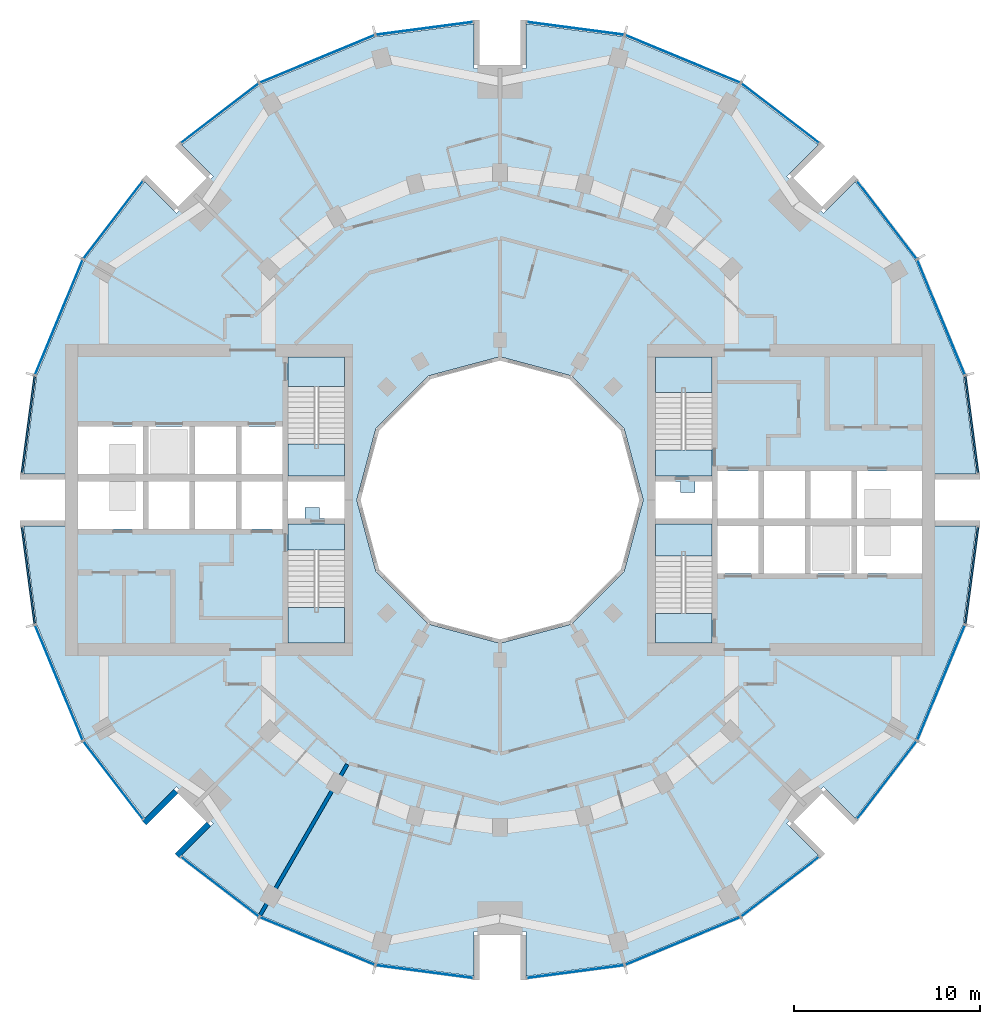
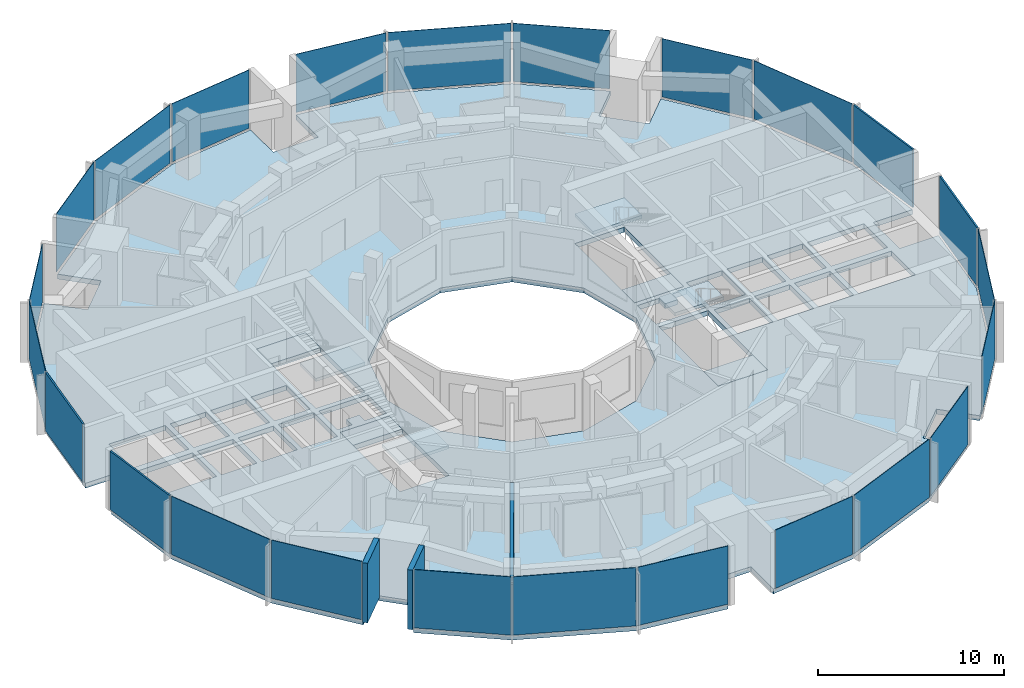
# One storey, part 7 of 15: 24 plates, 9 slabs, 3 walls, 28 elements without a shape of their own.
"""IFC4 building model written with IfcOpenShell, lengths in metres."""

from ifc_helpers import new_model, si_unit, direction, frame, frame_2d, origin, origin_2d, place, context, subcontext, project, spatial, polyline, rectangle, outline, extrude, material, layer, layer_set, type_object, element, aggregate, save


model = new_model("IFC4")

# Units and contexts
model_context = context("Model", 3, precision=1e-05, world=origin(), true_north=direction((0.0, 1.0)))
body_context = subcontext(model_context, "Body", "Model", "MODEL_VIEW")
ifc_project = project(units=[si_unit("LENGTHUNIT", "METRE"), si_unit("AREAUNIT", "SQUARE_METRE"), si_unit("VOLUMEUNIT", "CUBIC_METRE"), si_unit("PLANEANGLEUNIT", "RADIAN"), si_unit("MASSUNIT", "GRAM", prefix="KILO")], contexts=[model_context])

# Site, building, storey
site_placement = place(None, origin())
site = spatial("IfcSite", under=ifc_project, at=site_placement, CompositionType="ELEMENT")
building_placement = place(site_placement, origin())
building = spatial("IfcBuilding", under=site, at=building_placement, Name="Torre Brocal", CompositionType="ELEMENT")
storey_placement = place(building_placement, frame((0.0, 0.0, 118.5)))
storey = spatial("IfcBuildingStorey", under=building, at=storey_placement, Name="L27", CompositionType="ELEMENT", Elevation=118.5)

# Curtain wall, plate
ifc_material_1 = material(Name="Aluminium and glass", Category="aluminium")
ifc_layer_1 = layer(ifc_material_1, 0.199951171875)
ifc_layer_set_1 = layer_set([ifc_layer_1], Name="Aluminium and glass")
curtain_wall_type_1 = type_object("IfcCurtainWallType", Name="CW-1 CURTAIN WALL 3900 HIGH", PredefinedType="NOTDEFINED", material=ifc_layer_set_1)
curtain_wall_1_placement = place(storey_placement, origin())
curtain_wall_1 = element("IfcCurtainWall", 1, at=curtain_wall_1_placement, inside=storey, type_object=curtain_wall_type_1, Name="CW-1 RUN 2", PredefinedType="NOTDEFINED")
ifc_material_2 = material(Name="Glass, dark tinted laminated", Category="glass")
ifc_layer_2 = layer(ifc_material_2, 0.031982421875)
ifc_layer_set_2 = layer_set([ifc_layer_2], Name="Glass, dark tinted laminated")
plate_type_1 = type_object("IfcPlateType", Name="CW-1 GLASS PANEL 32", PredefinedType="CURTAIN_PANEL", material=ifc_layer_set_2)
plate_1_placement = place(storey_placement, frame((103.722900390625, 84.826416015625, 0.080078125), z_axis=(0.0, 0.0, 1.0), x_axis=(-0.382683432333, 0.923879532525, 0.0)))
plate_1 = element("IfcPlate", 2, at=plate_1_placement, type_object=plate_type_1, Name="CW1-3 panel 1.1", PredefinedType="CURTAIN_PANEL", context=body_context, shape_type="SweptSolid", body=[
    extrude(rectangle(XDim=6.64111328125, YDim=0.031982421875, at=origin_2d()), origin(), (0.0, 0.0, 1.0), 3.820068359375),
])
aggregate(curtain_wall_1, [plate_1])

curtain_wall_2_placement = place(storey_placement, origin())
curtain_wall_2 = element("IfcCurtainWall", 3, at=curtain_wall_2_placement, inside=storey, type_object=curtain_wall_type_1, Name="CW-1 RUN 3", PredefinedType="NOTDEFINED")
plate_2_placement = place(storey_placement, frame((100.80126953125, 90.0712890625, 0.080078125), z_axis=(0.0, 0.0, 1.0), x_axis=(-0.60876142905, 0.793353340259, 0.0)))
plate_2 = element("IfcPlate", 4, at=plate_2_placement, type_object=plate_type_1, Name="CW1-3 panel 1.1", PredefinedType="CURTAIN_PANEL", context=body_context, shape_type="SweptSolid", body=[
    extrude(rectangle(XDim=5.22900390625, YDim=0.031982421875, at=origin_2d()), origin(), (0.0, 0.0, 1.0), 3.820068359375),
])
aggregate(curtain_wall_2, [plate_2])

curtain_wall_3_placement = place(storey_placement, origin())
curtain_wall_3 = element("IfcCurtainWall", 5, at=curtain_wall_3_placement, inside=storey, type_object=curtain_wall_type_1, Name="CW-1 RUN 4", PredefinedType="NOTDEFINED")
plate_3_placement = place(storey_placement, frame((95.0712890625, 95.80126953125, 0.080078125), z_axis=(0.0, 0.0, 1.0), x_axis=(-0.793353340259, 0.60876142905, 0.0)))
plate_3 = element("IfcPlate", 6, at=plate_3_placement, type_object=plate_type_1, Name="CW1-3 panel 1.1", PredefinedType="CURTAIN_PANEL", context=body_context, shape_type="SweptSolid", body=[
    extrude(rectangle(XDim=5.22900390625, YDim=0.031982421875, at=origin_2d()), origin(), (0.0, 0.0, 1.0), 3.820068359375),
])
aggregate(curtain_wall_3, [plate_3])

curtain_wall_4_placement = place(storey_placement, origin())
curtain_wall_4 = element("IfcCurtainWall", 7, at=curtain_wall_4_placement, inside=storey, type_object=curtain_wall_type_1, Name="CW-1 RUN 5", PredefinedType="NOTDEFINED")
plate_4_placement = place(storey_placement, frame((89.826416015625, 98.722900390625, 0.080078125), z_axis=(0.0, 0.0, 1.0), x_axis=(-0.923879532525, 0.382683432333, 0.0)))
plate_4 = element("IfcPlate", 8, at=plate_4_placement, type_object=plate_type_1, Name="CW1-3 panel 1.1", PredefinedType="CURTAIN_PANEL", context=body_context, shape_type="SweptSolid", body=[
    extrude(rectangle(XDim=6.64111328125, YDim=0.031982421875, at=origin_2d()), origin(), (0.0, 0.0, 1.0), 3.820068359375),
])
aggregate(curtain_wall_4, [plate_4])

curtain_wall_5_placement = place(storey_placement, origin())
curtain_wall_5 = element("IfcCurtainWall", 9, at=curtain_wall_5_placement, inside=storey, type_object=curtain_wall_type_1, Name="CW-1 RUN 6", PredefinedType="NOTDEFINED")
plate_5_placement = place(storey_placement, frame((84.051513671875, 100.36572265625, 0.080078125), z_axis=(0.0, 0.0, 1.0), x_axis=(-0.991444861374, 0.13052619222, 0.0)))
plate_5 = element("IfcPlate", 10, at=plate_5_placement, type_object=plate_type_1, Name="CW1-3 panel 1.1", PredefinedType="CURTAIN_PANEL", context=body_context, shape_type="SweptSolid", body=[
    extrude(rectangle(XDim=5.22900390625, YDim=0.031982421875, at=origin_2d()), origin(), (0.0, 0.0, 1.0), 3.820068359375),
])
aggregate(curtain_wall_5, [plate_5])

curtain_wall_6_placement = place(storey_placement, origin())
curtain_wall_6 = element("IfcCurtainWall", 11, at=curtain_wall_6_placement, inside=storey, type_object=curtain_wall_type_1, Name="CW-1 RUN 7", PredefinedType="NOTDEFINED")
plate_6_placement = place(storey_placement, frame((75.948486328125, 100.36572265625, 0.080078125), z_axis=(0.0, 0.0, 1.0), x_axis=(-0.991444861374, -0.13052619222, 0.0)))
plate_6 = element("IfcPlate", 12, at=plate_6_placement, type_object=plate_type_1, Name="CW1-3 panel 1.1", PredefinedType="CURTAIN_PANEL", context=body_context, shape_type="SweptSolid", body=[
    extrude(rectangle(XDim=5.22900390625, YDim=0.031982421875, at=origin_2d()), origin(), (0.0, 0.0, 1.0), 3.820068359375),
])
aggregate(curtain_wall_6, [plate_6])

curtain_wall_7_placement = place(storey_placement, origin())
curtain_wall_7 = element("IfcCurtainWall", 13, at=curtain_wall_7_placement, inside=storey, type_object=curtain_wall_type_1, Name="CW-1 RUN 8", PredefinedType="NOTDEFINED")
plate_7_placement = place(storey_placement, frame((70.173583984375, 98.722900390625, 0.080078125), z_axis=(0.0, 0.0, 1.0), x_axis=(-0.923879532525, -0.382683432333, 0.0)))
plate_7 = element("IfcPlate", 14, at=plate_7_placement, type_object=plate_type_1, Name="CW1-3 panel 1.1", PredefinedType="CURTAIN_PANEL", context=body_context, shape_type="SweptSolid", body=[
    extrude(rectangle(XDim=6.64111328125, YDim=0.031982421875, at=origin_2d()), origin(), (0.0, 0.0, 1.0), 3.820068359375),
])
aggregate(curtain_wall_7, [plate_7])

curtain_wall_8_placement = place(storey_placement, origin())
curtain_wall_8 = element("IfcCurtainWall", 15, at=curtain_wall_8_placement, inside=storey, type_object=curtain_wall_type_1, Name="CW-1 RUN 9", PredefinedType="NOTDEFINED")
plate_8_placement = place(storey_placement, frame((64.9287109375, 95.80126953125, 0.080078125), z_axis=(0.0, 0.0, 1.0), x_axis=(-0.793353340259, -0.60876142905, 0.0)))
plate_8 = element("IfcPlate", 16, at=plate_8_placement, type_object=plate_type_1, Name="CW1-3 panel 1.1", PredefinedType="CURTAIN_PANEL", context=body_context, shape_type="SweptSolid", body=[
    extrude(rectangle(XDim=5.22900390625, YDim=0.031982421875, at=origin_2d()), origin(), (0.0, 0.0, 1.0), 3.820068359375),
])
aggregate(curtain_wall_8, [plate_8])

curtain_wall_9_placement = place(storey_placement, origin())
curtain_wall_9 = element("IfcCurtainWall", 17, at=curtain_wall_9_placement, inside=storey, type_object=curtain_wall_type_1, Name="CW-1 RUN 10", PredefinedType="NOTDEFINED")
plate_9_placement = place(storey_placement, frame((59.19873046875, 90.0712890625, 0.080078125), z_axis=(0.0, 0.0, 1.0), x_axis=(-0.60876142905, -0.793353340259, 0.0)))
plate_9 = element("IfcPlate", 18, at=plate_9_placement, type_object=plate_type_1, Name="CW1-3 panel 1.1", PredefinedType="CURTAIN_PANEL", context=body_context, shape_type="SweptSolid", body=[
    extrude(rectangle(XDim=5.22900390625, YDim=0.031982421875, at=origin_2d()), origin(), (0.0, 0.0, 1.0), 3.820068359375),
])
aggregate(curtain_wall_9, [plate_9])

curtain_wall_10_placement = place(storey_placement, origin())
curtain_wall_10 = element("IfcCurtainWall", 19, at=curtain_wall_10_placement, inside=storey, type_object=curtain_wall_type_1, Name="CW-1 RUN 11", PredefinedType="NOTDEFINED")
plate_10_placement = place(storey_placement, frame((56.277099609375, 84.826416015625, 0.080078125), z_axis=(0.0, 0.0, 1.0), x_axis=(-0.382683432333, -0.923879532525, 0.0)))
plate_10 = element("IfcPlate", 20, at=plate_10_placement, type_object=plate_type_1, Name="CW1-3 panel 1.1", PredefinedType="CURTAIN_PANEL", context=body_context, shape_type="SweptSolid", body=[
    extrude(rectangle(XDim=6.64111328125, YDim=0.031982421875, at=origin_2d()), origin(), (0.0, 0.0, 1.0), 3.820068359375),
])
aggregate(curtain_wall_10, [plate_10])

curtain_wall_11_placement = place(storey_placement, origin())
curtain_wall_11 = element("IfcCurtainWall", 21, at=curtain_wall_11_placement, inside=storey, type_object=curtain_wall_type_1, Name="CW-1 RUN 14", PredefinedType="NOTDEFINED")
plate_11_placement = place(storey_placement, frame((56.277099609375, 65.173583984375, 0.080078125), z_axis=(0.0, 0.0, 1.0), x_axis=(0.382683432333, -0.923879532525, 0.0)))
plate_11 = element("IfcPlate", 22, at=plate_11_placement, type_object=plate_type_1, Name="CW1-3 panel 1.1", PredefinedType="CURTAIN_PANEL", context=body_context, shape_type="SweptSolid", body=[
    extrude(rectangle(XDim=6.64111328125, YDim=0.031982421875, at=origin_2d()), origin(), (0.0, 0.0, 1.0), 3.820068359375),
])
aggregate(curtain_wall_11, [plate_11])

curtain_wall_12_placement = place(storey_placement, origin())
curtain_wall_12 = element("IfcCurtainWall", 23, at=curtain_wall_12_placement, inside=storey, type_object=curtain_wall_type_1, Name="CW-1 RUN 15", PredefinedType="NOTDEFINED")
plate_12_placement = place(storey_placement, frame((59.19873046875, 59.9287109375, 0.080078125), z_axis=(0.0, 0.0, 1.0), x_axis=(0.60876142905, -0.793353340259, 0.0)))
plate_12 = element("IfcPlate", 24, at=plate_12_placement, type_object=plate_type_1, Name="CW1-3 panel 1.1", PredefinedType="CURTAIN_PANEL", context=body_context, shape_type="SweptSolid", body=[
    extrude(rectangle(XDim=5.22900390625, YDim=0.031982421875, at=origin_2d()), origin(), (0.0, 0.0, 1.0), 3.820068359375),
])
aggregate(curtain_wall_12, [plate_12])

curtain_wall_13_placement = place(storey_placement, origin())
curtain_wall_13 = element("IfcCurtainWall", 25, at=curtain_wall_13_placement, inside=storey, type_object=curtain_wall_type_1, Name="CW-1 RUN 16", PredefinedType="NOTDEFINED")
plate_13_placement = place(storey_placement, frame((64.9287109375, 54.19873046875, 0.080078125), z_axis=(0.0, 0.0, 1.0), x_axis=(0.793353340259, -0.60876142905, 0.0)))
plate_13 = element("IfcPlate", 26, at=plate_13_placement, type_object=plate_type_1, Name="CW1-3 panel 1.1", PredefinedType="CURTAIN_PANEL", context=body_context, shape_type="SweptSolid", body=[
    extrude(rectangle(XDim=5.22900390625, YDim=0.031982421875, at=origin_2d()), origin(), (0.0, 0.0, 1.0), 3.820068359375),
])
aggregate(curtain_wall_13, [plate_13])

curtain_wall_14_placement = place(storey_placement, origin())
curtain_wall_14 = element("IfcCurtainWall", 27, at=curtain_wall_14_placement, inside=storey, type_object=curtain_wall_type_1, Name="CW-1 RUN 17", PredefinedType="NOTDEFINED")
plate_14_placement = place(storey_placement, frame((70.173583984375, 51.277099609375, 0.080078125), z_axis=(0.0, 0.0, 1.0), x_axis=(0.923879532525, -0.382683432333, 0.0)))
plate_14 = element("IfcPlate", 28, at=plate_14_placement, type_object=plate_type_1, Name="CW1-3 panel 1.1", PredefinedType="CURTAIN_PANEL", context=body_context, shape_type="SweptSolid", body=[
    extrude(rectangle(XDim=6.64111328125, YDim=0.031982421875, at=origin_2d()), origin(), (0.0, 0.0, 1.0), 3.820068359375),
])
aggregate(curtain_wall_14, [plate_14])

curtain_wall_15_placement = place(storey_placement, origin())
curtain_wall_15 = element("IfcCurtainWall", 29, at=curtain_wall_15_placement, inside=storey, type_object=curtain_wall_type_1, Name="CW-1 RUN 18", PredefinedType="NOTDEFINED")
plate_15_placement = place(storey_placement, frame((75.948486328125, 49.63427734375, 0.080078125), z_axis=(0.0, 0.0, 1.0), x_axis=(0.991444861374, -0.13052619222, 0.0)))
plate_15 = element("IfcPlate", 30, at=plate_15_placement, type_object=plate_type_1, Name="CW1-3 panel 1.1", PredefinedType="CURTAIN_PANEL", context=body_context, shape_type="SweptSolid", body=[
    extrude(rectangle(XDim=5.22900390625, YDim=0.031982421875, at=origin_2d()), origin(), (0.0, 0.0, 1.0), 3.820068359375),
])
aggregate(curtain_wall_15, [plate_15])

curtain_wall_16_placement = place(storey_placement, origin())
curtain_wall_16 = element("IfcCurtainWall", 31, at=curtain_wall_16_placement, inside=storey, type_object=curtain_wall_type_1, Name="CW-1 RUN 19", PredefinedType="NOTDEFINED")
plate_16_placement = place(storey_placement, frame((84.051513671875, 49.63427734375, 0.080078125), z_axis=(0.0, 0.0, 1.0), x_axis=(0.991444861374, 0.13052619222, 0.0)))
plate_16 = element("IfcPlate", 32, at=plate_16_placement, type_object=plate_type_1, Name="CW1-3 panel 1.1", PredefinedType="CURTAIN_PANEL", context=body_context, shape_type="SweptSolid", body=[
    extrude(rectangle(XDim=5.22900390625, YDim=0.031982421875, at=origin_2d()), origin(), (0.0, 0.0, 1.0), 3.820068359375),
])
aggregate(curtain_wall_16, [plate_16])

curtain_wall_17_placement = place(storey_placement, origin())
curtain_wall_17 = element("IfcCurtainWall", 33, at=curtain_wall_17_placement, inside=storey, type_object=curtain_wall_type_1, Name="CW-1 RUN 20", PredefinedType="NOTDEFINED")
plate_17_placement = place(storey_placement, frame((89.826416015625, 51.277099609375, 0.080078125), z_axis=(0.0, 0.0, 1.0), x_axis=(0.923879532525, 0.382683432333, 0.0)))
plate_17 = element("IfcPlate", 34, at=plate_17_placement, type_object=plate_type_1, Name="CW1-3 panel 1.1", PredefinedType="CURTAIN_PANEL", context=body_context, shape_type="SweptSolid", body=[
    extrude(rectangle(XDim=6.64111328125, YDim=0.031982421875, at=origin_2d()), origin(), (0.0, 0.0, 1.0), 3.820068359375),
])
aggregate(curtain_wall_17, [plate_17])

curtain_wall_18_placement = place(storey_placement, origin())
curtain_wall_18 = element("IfcCurtainWall", 35, at=curtain_wall_18_placement, inside=storey, type_object=curtain_wall_type_1, Name="CW-1 RUN 21", PredefinedType="NOTDEFINED")
plate_18_placement = place(storey_placement, frame((95.0712890625, 54.19873046875, 0.080078125), z_axis=(0.0, 0.0, 1.0), x_axis=(0.793353340259, 0.60876142905, 0.0)))
plate_18 = element("IfcPlate", 36, at=plate_18_placement, type_object=plate_type_1, Name="CW1-3 panel 1.1", PredefinedType="CURTAIN_PANEL", context=body_context, shape_type="SweptSolid", body=[
    extrude(rectangle(XDim=5.22900390625, YDim=0.031982421875, at=origin_2d()), origin(), (0.0, 0.0, 1.0), 3.820068359375),
])
aggregate(curtain_wall_18, [plate_18])

curtain_wall_19_placement = place(storey_placement, origin())
curtain_wall_19 = element("IfcCurtainWall", 37, at=curtain_wall_19_placement, inside=storey, type_object=curtain_wall_type_1, Name="CW-1 RUN 22", PredefinedType="NOTDEFINED")
plate_19_placement = place(storey_placement, frame((100.80126953125, 59.9287109375, 0.080078125), z_axis=(0.0, 0.0, 1.0), x_axis=(0.60876142905, 0.793353340259, 0.0)))
plate_19 = element("IfcPlate", 38, at=plate_19_placement, type_object=plate_type_1, Name="CW1-3 panel 1.1", PredefinedType="CURTAIN_PANEL", context=body_context, shape_type="SweptSolid", body=[
    extrude(rectangle(XDim=5.22900390625, YDim=0.031982421875, at=origin_2d()), origin(), (0.0, 0.0, 1.0), 3.820068359375),
])
aggregate(curtain_wall_19, [plate_19])

curtain_wall_20_placement = place(storey_placement, origin())
curtain_wall_20 = element("IfcCurtainWall", 39, at=curtain_wall_20_placement, inside=storey, type_object=curtain_wall_type_1, Name="CW-1 RUN 23", PredefinedType="NOTDEFINED")
plate_20_placement = place(storey_placement, frame((103.722900390625, 65.173583984375, 0.080078125), z_axis=(0.0, 0.0, 1.0), x_axis=(0.382683432333, 0.923879532525, 0.0)))
plate_20 = element("IfcPlate", 40, at=plate_20_placement, type_object=plate_type_1, Name="CW1-3 panel 1.1", PredefinedType="CURTAIN_PANEL", context=body_context, shape_type="SweptSolid", body=[
    extrude(rectangle(XDim=6.64111328125, YDim=0.031982421875, at=origin_2d()), origin(), (0.0, 0.0, 1.0), 3.820068359375),
])
aggregate(curtain_wall_20, [plate_20])

ifc_material_3 = material(Name="Aluminium and glass", Category="aluminium")
ifc_layer_3 = layer(ifc_material_3, 0.199951171875)
ifc_layer_set_3 = layer_set([ifc_layer_3], Name="Aluminium and glass")
curtain_wall_type_2 = type_object("IfcCurtainWallType", Name="CW-1B CURTAIN WALL 3900 HIGH", PredefinedType="NOTDEFINED", material=ifc_layer_set_3)
curtain_wall_21_placement = place(storey_placement, origin())
curtain_wall_21 = element("IfcCurtainWall", 41, at=curtain_wall_21_placement, inside=storey, type_object=curtain_wall_type_2, Name="CW-1B RUN 1", PredefinedType="NOTDEFINED")
ifc_material_4 = material(Name="Aluminium composite panel", Category="aluminium")
ifc_layer_4 = layer(ifc_material_4, 0.10009765625)
ifc_layer_set_4 = layer_set([ifc_layer_4], Name="Aluminium composite panel")
plate_type_2 = type_object("IfcPlateType", Name="CW-1B OPAQUE PANEL 100", PredefinedType="CURTAIN_PANEL", material=ifc_layer_set_4)
plate_21_placement = place(storey_placement, frame((105.36572265625, 79.051513671875, 0.080078125), z_axis=(0.0, 0.0, 1.0), x_axis=(-0.13052619222, 0.991444861374, 0.0)))
plate_21 = element("IfcPlate", 42, at=plate_21_placement, type_object=plate_type_2, Name="CW1B-3 panel 1.1", PredefinedType="CURTAIN_PANEL", context=body_context, shape_type="SweptSolid", body=[
    extrude(rectangle(XDim=5.22900390625, YDim=0.10009765625, at=origin_2d()), origin(), (0.0, 0.0, 1.0), 3.820068359375),
])
aggregate(curtain_wall_21, [plate_21])

curtain_wall_22_placement = place(storey_placement, origin())
curtain_wall_22 = element("IfcCurtainWall", 43, at=curtain_wall_22_placement, inside=storey, type_object=curtain_wall_type_2, Name="CW-1B RUN 12", PredefinedType="NOTDEFINED")
plate_22_placement = place(storey_placement, frame((54.63427734375, 79.051513671875, 0.080078125), z_axis=(0.0, 0.0, 1.0), x_axis=(-0.13052619222, -0.991444861374, 0.0)))
plate_22 = element("IfcPlate", 44, at=plate_22_placement, type_object=plate_type_2, Name="CW1B-3 panel 1.1", PredefinedType="CURTAIN_PANEL", context=body_context, shape_type="SweptSolid", body=[
    extrude(rectangle(XDim=5.22900390625, YDim=0.10009765625, at=origin_2d()), origin(), (0.0, 0.0, 1.0), 3.820068359375),
])
aggregate(curtain_wall_22, [plate_22])

curtain_wall_23_placement = place(storey_placement, origin())
curtain_wall_23 = element("IfcCurtainWall", 45, at=curtain_wall_23_placement, inside=storey, type_object=curtain_wall_type_2, Name="CW-1B RUN 13", PredefinedType="NOTDEFINED")
plate_23_placement = place(storey_placement, frame((54.63427734375, 70.948486328125, 0.080078125), z_axis=(0.0, 0.0, 1.0), x_axis=(0.13052619222, -0.991444861374, 0.0)))
plate_23 = element("IfcPlate", 46, at=plate_23_placement, type_object=plate_type_2, Name="CW1B-3 panel 1.1", PredefinedType="CURTAIN_PANEL", context=body_context, shape_type="SweptSolid", body=[
    extrude(rectangle(XDim=5.22900390625, YDim=0.10009765625, at=origin_2d()), origin(), (0.0, 0.0, 1.0), 3.820068359375),
])
aggregate(curtain_wall_23, [plate_23])

curtain_wall_24_placement = place(storey_placement, origin())
curtain_wall_24 = element("IfcCurtainWall", 47, at=curtain_wall_24_placement, inside=storey, type_object=curtain_wall_type_2, Name="CW-1B RUN 24", PredefinedType="NOTDEFINED")
plate_24_placement = place(storey_placement, frame((105.36572265625, 70.948486328125, 0.080078125), z_axis=(0.0, 0.0, 1.0), x_axis=(0.13052619222, 0.991444861374, 0.0)))
plate_24 = element("IfcPlate", 48, at=plate_24_placement, type_object=plate_type_2, Name="CW1B-3 panel 1.1", PredefinedType="CURTAIN_PANEL", context=body_context, shape_type="SweptSolid", body=[
    extrude(rectangle(XDim=5.22900390625, YDim=0.10009765625, at=origin_2d()), origin(), (0.0, 0.0, 1.0), 3.820068359375),
])
aggregate(curtain_wall_24, [plate_24])

# Stair, slab
ifc_material_5 = material(Name="Concrete C50", Category="concrete")
stair_type = type_object("IfcStairType", Name="EXIT STAIR", PredefinedType="HALF_TURN_STAIR", material=ifc_material_5)
stair_1_placement = place(storey_placement, origin())
stair_1 = element("IfcStair", 49, at=stair_1_placement, inside=storey, type_object=stair_type, Name="EXIT STAIR ST1", PredefinedType="HALF_TURN_STAIR")
ifc_material_6 = material(Name="Concrete C50", Category="concrete")
ifc_layer_5 = layer(ifc_material_6, 0.320068359375)
ifc_layer_set_5 = layer_set([ifc_layer_5], Name="Concrete C50")
slab_type_1 = type_object("IfcSlabType", Name="FLOOR LANDING 320", PredefinedType="LANDING", material=ifc_layer_set_5)
slab_1_placement = place(storey_placement, frame((0.0, 0.0, -0.320068359375)))
slab_1 = element("IfcSlab", 50, at=slab_1_placement, type_object=slab_type_1, Name="ST1 landing 1", PredefinedType="LANDING", context=body_context, shape_type="SweptSolid", body=[
    extrude(outline(polyline([(88.35009765625, 76.300048828125), (91.39990234375, 76.300048828125), (91.39990234375, 77.699951171875), (88.35009765625, 77.699951171875), (88.35009765625, 76.300048828125)])), origin(), (0.0, 0.0, 1.0), 0.320068359375),
])

stair_2_placement = place(storey_placement, origin())
stair_2 = element("IfcStair", 51, at=stair_2_placement, inside=storey, type_object=stair_type, Name="EXIT STAIR ST2", PredefinedType="HALF_TURN_STAIR")
slab_2_placement = place(storey_placement, frame((0.0, 0.0, -0.320068359375)))
slab_2 = element("IfcSlab", 52, at=slab_2_placement, type_object=slab_type_1, Name="ST2 landing 1", PredefinedType="LANDING", context=body_context, shape_type="SweptSolid", body=[
    extrude(outline(polyline([(88.35009765625, 67.300048828125), (91.39990234375, 67.300048828125), (91.39990234375, 68.89990234375), (88.35009765625, 68.89990234375), (88.35009765625, 67.300048828125)])), origin(), (0.0, 0.0, 1.0), 0.320068359375),
])

stair_3_placement = place(storey_placement, origin())
stair_3 = element("IfcStair", 53, at=stair_3_placement, inside=storey, type_object=stair_type, Name="EXIT STAIR ST3", PredefinedType="HALF_TURN_STAIR")
slab_3_placement = place(storey_placement, frame((0.0, 0.0, -0.320068359375)))
slab_3 = element("IfcSlab", 54, at=slab_3_placement, type_object=slab_type_1, Name="ST3 landing 1", PredefinedType="LANDING", context=body_context, shape_type="SweptSolid", body=[
    extrude(outline(polyline([(71.64990234375, 73.699951171875), (68.60009765625, 73.699951171875), (68.60009765625, 72.300048828125), (71.64990234375, 72.300048828125), (71.64990234375, 73.699951171875)])), origin(), (0.0, 0.0, 1.0), 0.320068359375),
])

stair_4_placement = place(storey_placement, origin())
stair_4 = element("IfcStair", 55, at=stair_4_placement, inside=storey, type_object=stair_type, Name="EXIT STAIR ST4", PredefinedType="HALF_TURN_STAIR")
slab_4_placement = place(storey_placement, frame((0.0, 0.0, -0.320068359375)))
slab_4 = element("IfcSlab", 56, at=slab_4_placement, type_object=slab_type_1, Name="ST4 landing 1", PredefinedType="LANDING", context=body_context, shape_type="SweptSolid", body=[
    extrude(outline(polyline([(71.64990234375, 82.699951171875), (68.60009765625, 82.699951171875), (68.60009765625, 81.10009765625), (71.64990234375, 81.10009765625), (71.64990234375, 82.699951171875)])), origin(), (0.0, 0.0, 1.0), 0.320068359375),
])

# Slab
ifc_material_7 = material(Name="Concrete C50", Category="concrete")
ifc_layer_6 = layer(ifc_material_7, 0.199951171875)
ifc_layer_set_6 = layer_set([ifc_layer_6], Name="Concrete C50")
slab_type_2 = type_object("IfcSlabType", Name="MID LANDING +1950", PredefinedType="LANDING", material=ifc_layer_set_6)
slab_5_placement = place(storey_placement, frame((0.0, 0.0, 1.75)))
slab_5 = element("IfcSlab", 57, at=slab_5_placement, type_object=slab_type_2, Name="ST1 landing 2", PredefinedType="LANDING", context=body_context, shape_type="SweptSolid", body=[
    extrude(outline(polyline([(88.35009765625, 80.780029296875), (91.39990234375, 80.780029296875), (91.39990234375, 82.699951171875), (88.35009765625, 82.699951171875), (88.35009765625, 80.780029296875)])), origin(), (0.0, 0.0, 1.0), 0.199951171875),
])

aggregate(stair_1, [slab_1, slab_5])

slab_6_placement = place(storey_placement, frame((0.0, 0.0, 1.75)))
slab_6 = element("IfcSlab", 58, at=slab_6_placement, type_object=slab_type_2, Name="ST2 landing 2", PredefinedType="LANDING", context=body_context, shape_type="SweptSolid", body=[
    extrude(outline(polyline([(88.35009765625, 71.97998046875), (91.39990234375, 71.97998046875), (91.39990234375, 73.699951171875), (88.35009765625, 73.699951171875), (88.35009765625, 71.97998046875)])), origin(), (0.0, 0.0, 1.0), 0.199951171875),
])

aggregate(stair_2, [slab_2, slab_6])

slab_7_placement = place(storey_placement, frame((0.0, 0.0, 1.75)))
slab_7 = element("IfcSlab", 59, at=slab_7_placement, type_object=slab_type_2, Name="ST3 landing 2", PredefinedType="LANDING", context=body_context, shape_type="SweptSolid", body=[
    extrude(outline(polyline([(71.64990234375, 69.219970703125), (68.60009765625, 69.219970703125), (68.60009765625, 67.300048828125), (71.64990234375, 67.300048828125), (71.64990234375, 69.219970703125)])), origin(), (0.0, 0.0, 1.0), 0.199951171875),
])

aggregate(stair_3, [slab_3, slab_7])

slab_8_placement = place(storey_placement, frame((0.0, 0.0, 1.75)))
slab_8 = element("IfcSlab", 60, at=slab_8_placement, type_object=slab_type_2, Name="ST4 landing 2", PredefinedType="LANDING", context=body_context, shape_type="SweptSolid", body=[
    extrude(outline(polyline([(71.64990234375, 78.02001953125), (68.60009765625, 78.02001953125), (68.60009765625, 76.300048828125), (71.64990234375, 76.300048828125), (71.64990234375, 78.02001953125)])), origin(), (0.0, 0.0, 1.0), 0.199951171875),
])

aggregate(stair_4, [slab_4, slab_8])

ifc_material_8 = material(Name="Concrete C45", Category="concrete")
ifc_layer_7 = layer(ifc_material_8, 0.320068359375)
ifc_layer_set_7 = layer_set([ifc_layer_7], Name="Concrete C45")
slab_type_3 = type_object("IfcSlabType", Name="PT FLOOR SLAB 320 C45", PredefinedType="FLOOR", material=ifc_layer_set_7)
slab_9_placement = place(storey_placement, frame((0.0, 0.0, -0.320068359375)))
element("IfcSlab", 61, at=slab_9_placement, inside=storey, type_object=slab_type_3, Name="Slab ST-05", PredefinedType="FLOOR", context=body_context, shape_type="SweptSolid", body=[
    extrude(outline(polyline([(103.199951171875, 76.39990234375), (103.199951171875, 73.60009765625), (105.614013671875, 73.60009765625), (104.919189453125, 68.322998046875), (102.342041015625, 62.100830078125), (99.101806640625, 57.878173828125), (97.394775390625, 59.5849609375), (95.4150390625, 57.605224609375), (97.121826171875, 55.898193359375), (92.899169921875, 52.657958984375), (86.677001953125, 50.080810546875), (81.39990234375, 49.385986328125), (81.39990234375, 51.800048828125), (78.60009765625, 51.800048828125), (78.60009765625, 49.385986328125), (73.322998046875, 50.080810546875), (67.100830078125, 52.657958984375), (62.878173828125, 55.898193359375), (64.5849609375, 57.605224609375), (62.605224609375, 59.5849609375), (60.898193359375, 57.878173828125), (57.657958984375, 62.100830078125), (55.080810546875, 68.322998046875), (54.385986328125, 73.60009765625), (56.800048828125, 73.60009765625), (56.800048828125, 76.39990234375), (54.385986328125, 76.39990234375), (55.080810546875, 81.677001953125), (57.657958984375, 87.899169921875), (60.898193359375, 92.121826171875), (62.605224609375, 90.4150390625), (64.5849609375, 92.394775390625), (62.878173828125, 94.101806640625), (67.100830078125, 97.342041015625), (73.322998046875, 99.919189453125), (78.60009765625, 100.614013671875), (78.60009765625, 98.199951171875), (81.39990234375, 98.199951171875), (81.39990234375, 100.614013671875), (86.677001953125, 99.919189453125), (92.899169921875, 97.342041015625), (97.121826171875, 94.101806640625), (95.4150390625, 92.394775390625), (97.394775390625, 90.4150390625), (99.101806640625, 92.121826171875), (102.342041015625, 87.899169921875), (104.919189453125, 81.677001953125), (105.614013671875, 76.39990234375), (103.199951171875, 76.39990234375)]), holes=[polyline([(102.699951171875, 74.0), (102.699951171875, 76.550048828125), (99.199951171875, 76.550048828125), (99.199951171875, 74.0), (102.699951171875, 74.0)]), polyline([(102.699951171875, 71.050048828125), (102.699951171875, 73.60009765625), (99.199951171875, 73.60009765625), (99.199951171875, 71.050048828125), (102.699951171875, 71.050048828125)]), polyline([(98.89990234375, 76.550048828125), (96.699951171875, 76.550048828125), (96.699951171875, 74.0), (98.89990234375, 74.0), (98.89990234375, 76.550048828125)]), polyline([(98.89990234375, 71.050048828125), (98.89990234375, 73.60009765625), (96.699951171875, 73.60009765625), (96.699951171875, 71.050048828125), (98.89990234375, 71.050048828125)]), polyline([(96.39990234375, 73.60009765625), (94.199951171875, 73.60009765625), (94.199951171875, 71.050048828125), (96.39990234375, 71.050048828125), (96.39990234375, 73.60009765625)]), polyline([(96.39990234375, 74.0), (96.39990234375, 76.550048828125), (94.199951171875, 76.550048828125), (94.199951171875, 74.0), (96.39990234375, 74.0)]), polyline([(93.89990234375, 73.60009765625), (91.699951171875, 73.60009765625), (91.699951171875, 71.050048828125), (93.89990234375, 71.050048828125), (93.89990234375, 73.60009765625)]), polyline([(93.89990234375, 74.0), (93.89990234375, 76.550048828125), (91.699951171875, 76.550048828125), (91.699951171875, 74.0), (93.89990234375, 74.0)]), polyline([(91.39990234375, 76.300048828125), (91.39990234375, 82.699951171875), (88.35009765625, 82.699951171875), (88.35009765625, 76.300048828125), (91.39990234375, 76.300048828125)]), polyline([(91.39990234375, 73.699951171875), (88.35009765625, 73.699951171875), (88.35009765625, 67.300048828125), (91.39990234375, 67.300048828125), (91.39990234375, 73.699951171875)]), polyline([(89.699951171875, 76.0), (88.35009765625, 76.0), (88.35009765625, 74.0), (91.39990234375, 74.0), (91.39990234375, 76.0), (90.5, 76.0), (90.5, 75.39990234375), (89.699951171875, 75.39990234375), (89.699951171875, 76.0)]), polyline([(80.0, 82.70703125), (76.146484375, 81.674560546875), (73.325439453125, 78.853515625), (72.29296875, 75.0), (73.325439453125, 71.146484375), (76.146484375, 68.325439453125), (80.0, 67.29296875), (83.853515625, 68.325439453125), (86.674560546875, 71.146484375), (87.70703125, 75.0), (86.674560546875, 78.853515625), (83.853515625, 81.674560546875), (80.0, 82.70703125)]), polyline([(68.60009765625, 82.699951171875), (68.60009765625, 76.300048828125), (71.64990234375, 76.300048828125), (71.64990234375, 82.699951171875), (68.60009765625, 82.699951171875)]), polyline([(70.300048828125, 74.0), (71.64990234375, 74.0), (71.64990234375, 76.0), (68.60009765625, 76.0), (68.60009765625, 74.0), (69.5, 74.0), (69.5, 74.60009765625), (70.300048828125, 74.60009765625), (70.300048828125, 74.0)]), polyline([(68.60009765625, 67.300048828125), (71.64990234375, 67.300048828125), (71.64990234375, 73.699951171875), (68.60009765625, 73.699951171875), (68.60009765625, 67.300048828125)]), polyline([(66.10009765625, 78.949951171875), (66.10009765625, 76.39990234375), (68.300048828125, 76.39990234375), (68.300048828125, 78.949951171875), (66.10009765625, 78.949951171875)]), polyline([(66.10009765625, 76.0), (66.10009765625, 73.449951171875), (68.300048828125, 73.449951171875), (68.300048828125, 76.0), (66.10009765625, 76.0)]), polyline([(63.60009765625, 76.0), (63.60009765625, 73.449951171875), (65.800048828125, 73.449951171875), (65.800048828125, 76.0), (63.60009765625, 76.0)]), polyline([(63.60009765625, 76.39990234375), (65.800048828125, 76.39990234375), (65.800048828125, 78.949951171875), (63.60009765625, 78.949951171875), (63.60009765625, 76.39990234375)]), polyline([(61.10009765625, 78.949951171875), (61.10009765625, 76.39990234375), (63.300048828125, 76.39990234375), (63.300048828125, 78.949951171875), (61.10009765625, 78.949951171875)]), polyline([(61.10009765625, 73.449951171875), (63.300048828125, 73.449951171875), (63.300048828125, 76.0), (61.10009765625, 76.0), (61.10009765625, 73.449951171875)]), polyline([(57.300048828125, 73.449951171875), (60.800048828125, 73.449951171875), (60.800048828125, 76.0), (57.300048828125, 76.0), (57.300048828125, 73.449951171875)]), polyline([(57.300048828125, 78.949951171875), (57.300048828125, 76.39990234375), (60.800048828125, 76.39990234375), (60.800048828125, 78.949951171875), (57.300048828125, 78.949951171875)])]), origin(), (0.0, 0.0, 1.0), 0.320068359375),
])

# Walls
ifc_material_9 = material(Name="Concrete C70", Category="concrete")
ifc_layer_8 = layer(ifc_material_9, 0.300048828125)
ifc_layer_set_8 = layer_set([ifc_layer_8], Name="Concrete C70")
wall_type_1 = type_object("IfcWallType", Name="NOTCH RETURN WALL 300 C70", PredefinedType="NOTDEFINED", material=ifc_layer_set_8)
for number, where, z_axis, x_axis, name in (
    (62, (62.56982421875, 59.337646484375, 0.0), (0.0, 0.0, 1.0), (-0.707106781187, -0.707106781187, 0.0), "NOTCH RETURN WALL"),
    (63, (64.337646484375, 57.56982421875, 0.0), (0.0, 0.0, 1.0), (-0.707106781187, -0.707106781187, 0.0), "NOTCH RETURN WALL"),
):
    element("IfcWall", number, at=place(storey_placement, frame(where, z_axis=z_axis, x_axis=x_axis)), inside=storey, type_object=wall_type_1, Name=name, PredefinedType="NOTDEFINED", context=body_context, shape_type="SweptSolid", body=[
        extrude(rectangle(XDim=2.415771484375, YDim=0.300048828125, at=frame_2d((1.2080078125, 0.0))), origin(), (0.0, 0.0, 1.0), 3.89990234375),
    ])
ifc_material_10 = material(Name="Gypsum board", Category="Gypsum")
ifc_layer_9 = layer(ifc_material_10, 0.199951171875)
ifc_layer_set_9 = layer_set([ifc_layer_9], Name="Gypsum board")
wall_type_2 = type_object("IfcWallType", Name="PARTITION 200 EI60", PredefinedType="PARTITIONING", material=ifc_layer_set_9)
wall_placement = place(storey_placement, frame((67.094482421875, 52.66259765625, 0.0), z_axis=(0.0, 0.0, 1.0), x_axis=(0.500228134253, 0.865893650342, 0.0)))
element("IfcWall", 64, at=wall_placement, inside=storey, type_object=wall_type_2, Name="PARTY PARTITION", PredefinedType="PARTITIONING", context=body_context, shape_type="SweptSolid", body=[
    extrude(rectangle(XDim=9.37451171875, YDim=0.199951171875, at=frame_2d((4.687255859375, 0.0))), origin(), (0.0, 0.0, 1.0), 3.449951171875),
])

save(model, "model.ifc")
